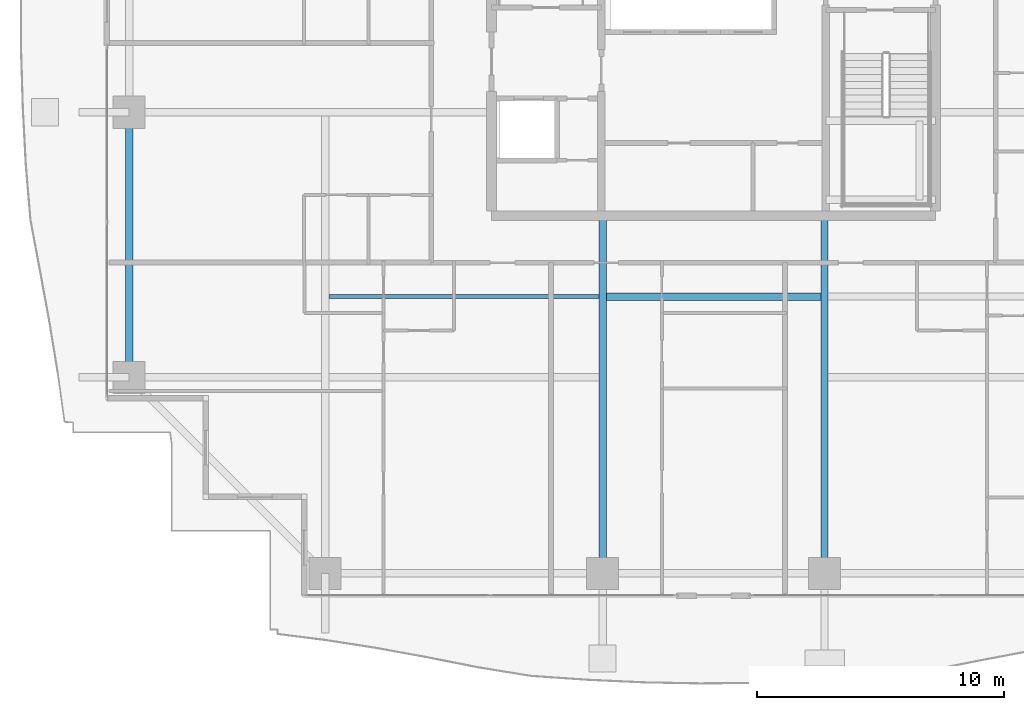
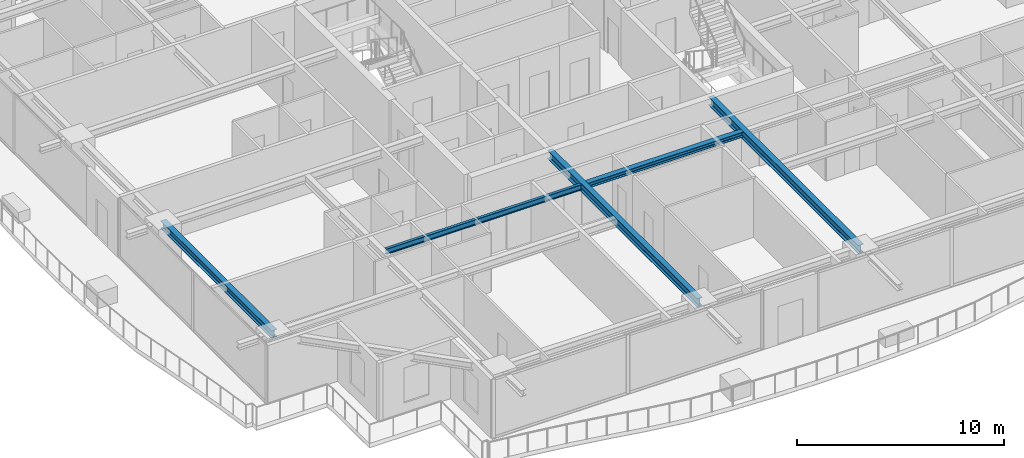
# One storey, part 6 of 35: 5 beams.
"""IFC4 building model written with IfcOpenShell, lengths in metres."""

from ifc_helpers import new_model, si_unit, direction, frame, origin, origin_2d, place, context, subcontext, project, spatial, i_section, extrude, source, transform, mapped, material, material_profile, profile_set, type_object, element, save


model = new_model("IFC4")

# Units and contexts
model_context = context("Model", 3, precision=1e-05, world=origin(), true_north=direction((0.0, 1.0)))
body_context = subcontext(model_context, "Body", "Model", "MODEL_VIEW")
ifc_project = project(units=[si_unit("LENGTHUNIT", "METRE"), si_unit("AREAUNIT", "SQUARE_METRE"), si_unit("VOLUMEUNIT", "CUBIC_METRE"), si_unit("PLANEANGLEUNIT", "RADIAN"), si_unit("MASSUNIT", "GRAM", prefix="KILO")], contexts=[model_context])

# Site, building, storey
site_placement = place(None, origin())
site = spatial("IfcSite", under=ifc_project, at=site_placement, CompositionType="ELEMENT")
building_placement = place(site_placement, origin())
building = spatial("IfcBuilding", under=site, at=building_placement, Name="Serunith Strait Residences", CompositionType="ELEMENT")
storey_placement = place(building_placement, frame((0.0, 0.0, 172.64990234375)))
storey = spatial("IfcBuildingStorey", under=building, at=storey_placement, Name="L43", CompositionType="ELEMENT", Elevation=172.64990234375)

# Beams
ifc_material = material(Name="Steel S355J2", Category="steel")
ifc_material_profile_1 = material_profile(ifc_material, i_section(OverallWidth=0.300048828125, OverallDepth=0.300048828125, WebThickness=0.010986328125, FlangeThickness=0.01904296875, FilletRadius=0.027099609375, at=origin_2d()), Name="HEB 300")
ifc_profile_set_1 = profile_set([ifc_material_profile_1], Name="Steel S355J2")
beam_type_1 = type_object("IfcBeamType", Name="BM-HEB300", PredefinedType="JOIST", material=ifc_profile_set_1)
shared_shape_1 = source(origin(), body_context, "Body", "SweptSolid", [
    extrude(i_section(OverallWidth=0.300048828125, OverallDepth=0.300048828125, WebThickness=0.010986328125, FlangeThickness=0.01904296875, FilletRadius=0.027099609375, at=origin_2d()), origin(), (0.0, 0.0, 1.0), 8.699951171875),
])
beam_1_placement = place(storey_placement, frame((28.050048828125, 13.52490234375, 3.337158203125), z_axis=(1.0, 0.0, 0.0), x_axis=(0.0, 1.0, 0.0)))
element("IfcBeam", 1, at=beam_1_placement, inside=storey, type_object=beam_type_1, Name="L43 Composite Floor Joist 02", PredefinedType="JOIST", context=body_context, shape_type="MappedRepresentation", body=[
    mapped(shared_shape_1, transform((0.0, 0.0, 0.0), scale=1.0)),
])
ifc_material_profile_2 = material_profile(ifc_material, i_section(OverallWidth=0.300048828125, OverallDepth=0.5, WebThickness=0.014404296875, FlangeThickness=0.028076171875, FilletRadius=0.027099609375, at=origin_2d()), Name="HEB 500")
ifc_profile_set_2 = profile_set([ifc_material_profile_2], Name="Steel S355J2")
beam_type_2 = type_object("IfcBeamType", Name="BM-HEB500", PredefinedType="BEAM", material=ifc_profile_set_2)
shared_shape_2 = source(origin(), body_context, "Body", "SweptSolid", [
    extrude(i_section(OverallWidth=0.300048828125, OverallDepth=0.5, WebThickness=0.014404296875, FlangeThickness=0.028076171875, FilletRadius=0.027099609375, at=origin_2d()), origin(), (0.0, 0.0, 1.0), 14.5),
])
for number, where, z_axis, x_axis, name in (
    (2, (27.89990234375, 16.800048828125, 3.237060546875), (0.0, -1.0, 0.0), (1.0, 0.0, 0.0), "L43 Primary Floor Girder TC-S2"),
    (3, (36.89990234375, 16.800048828125, 3.237060546875), (0.0, -1.0, 0.0), (1.0, 0.0, 0.0), "L43 Primary Floor Girder TC-S3"),
):
    element("IfcBeam", number, at=place(storey_placement, frame(where, z_axis=z_axis, x_axis=x_axis)), inside=storey, type_object=beam_type_2, Name=name, PredefinedType="BEAM", context=body_context, shape_type="MappedRepresentation", body=[
        mapped(shared_shape_2, transform((0.0, 0.0, 0.0), scale=1.0)),
    ])
ifc_material_profile_3 = material_profile(ifc_material, i_section(OverallWidth=0.300048828125, OverallDepth=0.449951171875, WebThickness=0.013916015625, FlangeThickness=0.02587890625, FilletRadius=0.027099609375, at=origin_2d()), Name="HEB 450")
ifc_profile_set_3 = profile_set([ifc_material_profile_3], Name="Steel S355J2")
beam_type_3 = type_object("IfcBeamType", Name="BM-HEB450", PredefinedType="BEAM", material=ifc_profile_set_3)
shared_shape_3 = source(origin(), body_context, "Body", "SweptSolid", [
    extrude(i_section(OverallWidth=0.300048828125, OverallDepth=0.449951171875, WebThickness=0.013916015625, FlangeThickness=0.02587890625, FilletRadius=0.027099609375, at=origin_2d()), origin(), (0.0, 0.0, 1.0), 10.75),
])
beam_2_placement = place(storey_placement, frame((8.699951171875, 21.0, 3.26220703125), z_axis=(0.0, -1.0, 0.0), x_axis=(1.0, 0.0, 0.0)))
element("IfcBeam", 4, at=beam_2_placement, inside=storey, type_object=beam_type_3, Name="L43 Perimeter Ring Beam 15", PredefinedType="BEAM", context=body_context, shape_type="MappedRepresentation", body=[
    mapped(shared_shape_3, transform((0.0, 0.0, 0.0), scale=1.0)),
])
ifc_material_profile_4 = material_profile(ifc_material, i_section(OverallWidth=0.159912109375, OverallDepth=0.330078125, WebThickness=0.007568359375, FlangeThickness=0.011474609375, FilletRadius=0.01806640625, at=origin_2d()), Name="IPE 330")
ifc_profile_set_4 = profile_set([ifc_material_profile_4], Name="Steel S355J2")
beam_type_4 = type_object("IfcBeamType", Name="BM-IPE330", PredefinedType="JOIST", material=ifc_profile_set_4)
shared_shape_4 = source(origin(), body_context, "Body", "SweptSolid", [
    extrude(i_section(OverallWidth=0.159912109375, OverallDepth=0.330078125, WebThickness=0.007568359375, FlangeThickness=0.011474609375, FilletRadius=0.01806640625, at=origin_2d()), origin(), (0.0, 0.0, 1.0), 10.949951171875),
])
beam_3_placement = place(storey_placement, frame((16.800048828125, 13.52490234375, 3.322021484375), z_axis=(1.0, 0.0, 0.0), x_axis=(0.0, 1.0, 0.0)))
element("IfcBeam", 5, at=beam_3_placement, inside=storey, type_object=beam_type_4, Name="L43 Composite Floor Joist 01", PredefinedType="JOIST", context=body_context, shape_type="MappedRepresentation", body=[
    mapped(shared_shape_4, transform((0.0, 0.0, 0.0), scale=1.0)),
])

save(model, "model.ifc")
